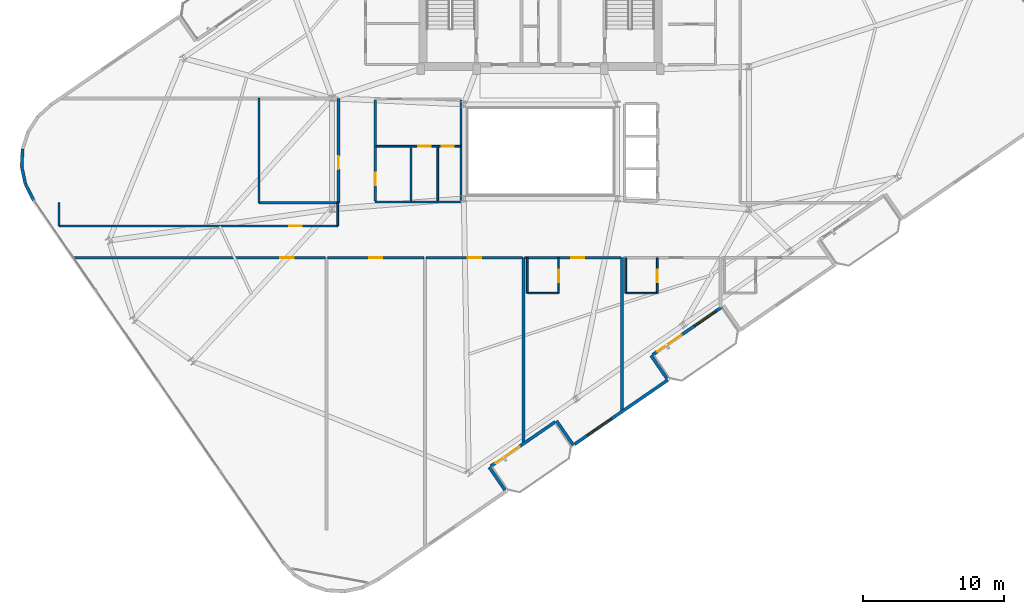
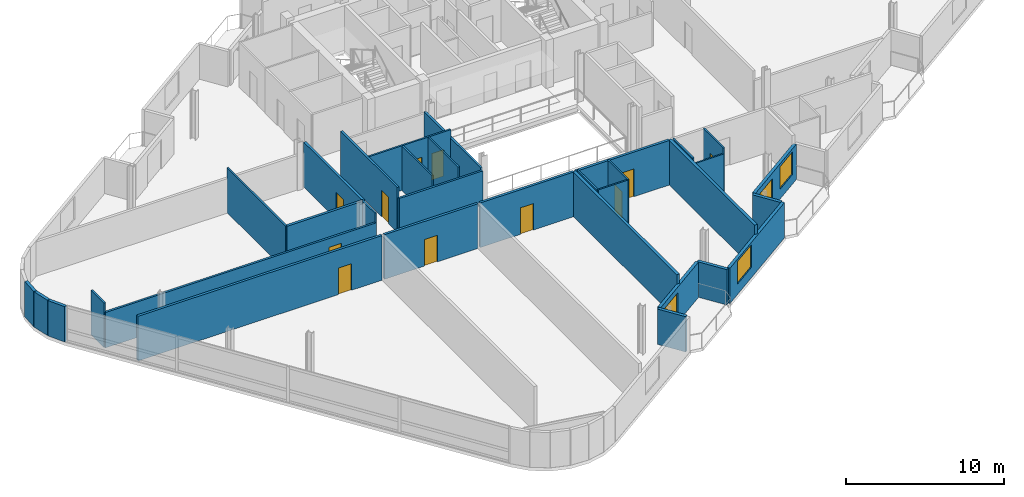
# One storey, part 16 of 23: 33 walls, 13 doors, 2 windows, 15 openings.
"""IFC4 building model written with IfcOpenShell, lengths in metres."""

from ifc_helpers import new_model, si_unit, direction, frame, frame_2d, origin, place, context, subcontext, project, spatial, rectangle, extrude, material, layer, layer_set, type_object, element, fill, save


model = new_model("IFC4")

# Units and contexts
model_context = context("Model", 3, precision=1e-05, world=origin(), true_north=direction((0.0, 1.0)))
body_context = subcontext(model_context, "Body", "Model", "MODEL_VIEW")
ifc_project = project(units=[si_unit("LENGTHUNIT", "METRE"), si_unit("AREAUNIT", "SQUARE_METRE"), si_unit("VOLUMEUNIT", "CUBIC_METRE"), si_unit("PLANEANGLEUNIT", "RADIAN"), si_unit("MASSUNIT", "GRAM", prefix="KILO")], contexts=[model_context])

# Site, building, storey
site_placement = place(None, origin())
site = spatial("IfcSite", under=ifc_project, at=site_placement, CompositionType="ELEMENT")
building_placement = place(site_placement, origin())
building = spatial("IfcBuilding", under=site, at=building_placement, Name="Varnelok Gate Tower", CompositionType="ELEMENT")
storey_placement = place(building_placement, frame((0.0, 0.0, 258.199951171875)))
storey = spatial("IfcBuildingStorey", under=building, at=storey_placement, Name="L66", CompositionType="ELEMENT", Elevation=258.199951171875)

# Wall, opening, door
ifc_material_1 = material(Name="Concrete C45/55", Category="concrete")
ifc_layer_1 = layer(ifc_material_1, 0.219970703125)
ifc_layer_set_1 = layer_set([ifc_layer_1], Name="Concrete C45/55")
wall_type_1 = type_object("IfcWallType", Name="EW-BALC-220", PredefinedType="SOLIDWALL", material=ifc_layer_set_1)
wall_1_placement = place(storey_placement, frame((40.243896484375, 3.6884765625, 0.0), z_axis=(0.0, 0.0, 1.0), x_axis=(-0.823541290762, -0.567256328665, 0.0)))
wall_1 = element("IfcWall", 1, at=wall_1_placement, inside=storey, type_object=wall_type_1, Name="L66 South Terrace Envelope Wall 1", PredefinedType="SOLIDWALL", context=body_context, shape_type="SweptSolid", body=[
    extrude(rectangle(XDim=5.567138671875, YDim=0.219970703125, at=frame_2d((2.78369140625, 0.0))), origin(), (0.0, 0.0, 1.0), 2.72998046875),
])
opening_1_placement = place(wall_1_placement, frame((3.06689453125, 0.0, 0.0)))
opening_1 = element("IfcOpeningElement", 2, at=opening_1_placement, cuts=wall_1, Name="Opening BD-2", PredefinedType="OPENING", context=body_context, shape_type="SweptSolid", body=[
    extrude(rectangle(XDim=2.10009765625, YDim=2.300048828125, at=frame_2d((1.050048828125, 1.14990234375))), frame((0.0, 0.119873046875, 0.0), z_axis=(0.0, -1.0, 0.0), x_axis=(1.0, 0.0, 0.0)), (0.0, 0.0, 1.0), 0.239990234375),
])
ifc_material_2 = material(Name="Anodized Aluminum Alloy 6063-T6", Category="aluminium")
door_type_1 = type_object("IfcDoorType", Name="DR-EXT-SLID2100", OperationType="SLIDING_TO_LEFT", PredefinedType="DOOR", material=ifc_material_2)
door_1_placement = place(opening_1_placement, origin())
door_1 = element("IfcDoor", 3, at=door_1_placement, inside=storey, type_object=door_type_1, Name="L66 South Balcony Glazed Door 1", OperationType="SLIDING_TO_LEFT", OverallHeight=2.300048828125, OverallWidth=2.10009765625, PredefinedType="DOOR", context=body_context, shape_type="SweptSolid", body=[
    extrude(rectangle(XDim=2.10009765625, YDim=2.300048828125, at=frame_2d((1.050048828125, 1.14990234375))), frame((0.0, 0.02490234375, 0.0), z_axis=(0.0, -1.0, 0.0), x_axis=(1.0, 0.0, 0.0)), (0.0, 0.0, 1.0), 0.050048828125),
])
fill(opening_1, door_1)

# Wall, openings, door, window
wall_2_placement = place(storey_placement, frame((52.102783203125, 11.85693359375, 0.0), z_axis=(0.0, 0.0, 1.0), x_axis=(-0.823534636215, -0.567265989598, 0.0)))
wall_2 = element("IfcWall", 4, at=wall_2_placement, inside=storey, type_object=wall_type_1, Name="L66 South Terrace Envelope Wall 2", PredefinedType="SOLIDWALL", context=body_context, shape_type="SweptSolid", body=[
    extrude(rectangle(XDim=6.0, YDim=0.219970703125, at=frame_2d((3.0, 0.0))), origin(), (0.0, 0.0, 1.0), 2.72998046875),
])
opening_2_placement = place(wall_2_placement, frame((3.5, 0.0, 0.0)))
opening_2 = element("IfcOpeningElement", 5, at=opening_2_placement, cuts=wall_2, Name="Opening BD-2", PredefinedType="OPENING", context=body_context, shape_type="SweptSolid", body=[
    extrude(rectangle(XDim=2.10009765625, YDim=2.300048828125, at=frame_2d((1.050048828125, 1.14990234375))), frame((0.0, 0.119873046875, 0.0), z_axis=(0.0, -1.0, 0.0), x_axis=(1.0, 0.0, 0.0)), (0.0, 0.0, 1.0), 0.239990234375),
])
opening_3_placement = place(wall_2_placement, frame((0.550048828125, 0.0, 0.75)))
opening_3 = element("IfcOpeningElement", 6, at=opening_3_placement, cuts=wall_2, Name="Opening WN5", PredefinedType="OPENING", context=body_context, shape_type="SweptSolid", body=[
    extrude(rectangle(XDim=1.85009765625, YDim=1.75, at=frame_2d((0.925048828125, 0.875))), frame((0.0, 0.119873046875, 0.0), z_axis=(0.0, -1.0, 0.0), x_axis=(1.0, 0.0, 0.0)), (0.0, 0.0, 1.0), 0.239990234375),
])
door_2_placement = place(opening_2_placement, origin())
door_2 = element("IfcDoor", 7, at=door_2_placement, inside=storey, type_object=door_type_1, Name="L66 South Balcony Glazed Door 2", OperationType="SLIDING_TO_LEFT", OverallHeight=2.300048828125, OverallWidth=2.10009765625, PredefinedType="DOOR", context=body_context, shape_type="SweptSolid", body=[
    extrude(rectangle(XDim=2.10009765625, YDim=2.300048828125, at=frame_2d((1.050048828125, 1.14990234375))), frame((0.0, 0.02490234375, 0.0), z_axis=(0.0, -1.0, 0.0), x_axis=(1.0, 0.0, 0.0)), (0.0, 0.0, 1.0), 0.050048828125),
])
fill(opening_2, door_2)
ifc_material_3 = material(Name="Low-E Laminated Double Glazing IGU", Category="glass")
window_type_1 = type_object("IfcWindowType", Name="WN-RES-1850", PartitioningType="SINGLE_PANEL", PredefinedType="WINDOW", material=ifc_material_3)
window_1_placement = place(opening_3_placement, origin())
window_1 = element("IfcWindow", 8, at=window_1_placement, inside=storey, type_object=window_type_1, Name="L66 South Vision Window 2.1", OverallHeight=1.75, OverallWidth=1.85009765625, PartitioningType="SINGLE_PANEL", PredefinedType="WINDOW", context=body_context, shape_type="SweptSolid", body=[
    extrude(rectangle(XDim=1.85009765625, YDim=1.75, at=frame_2d((0.925048828125, 0.875))), frame((0.0, 0.030029296875, 0.0), z_axis=(0.0, -1.0, 0.0), x_axis=(1.0, 0.0, 0.0)), (0.0, 0.0, 1.0), 0.06005859375),
])
fill(opening_3, window_1)

# Walls
wall_3_placement = place(storey_placement, frame((36.675048828125, -1.156005859375, 0.0), z_axis=(0.0, 0.0, 1.0), x_axis=(-0.567215821234, 0.823569190865, 0.0)))
element("IfcWall", 9, at=wall_3_placement, inside=storey, type_object=wall_type_1, Name="L66 Perimeter Facade Closure Wall 8", PredefinedType="SOLIDWALL", context=body_context, shape_type="SweptSolid", body=[
    extrude(rectangle(XDim=1.97509765625, YDim=0.219970703125, at=frame_2d((0.987548828125, 0.0))), origin(), (0.0, 0.0, 1.0), 2.72998046875),
])
wall_4_placement = place(storey_placement, frame((40.3369140625, 3.7646484375, 0.0), z_axis=(0.0, 0.0, 1.0), x_axis=(0.567352541689, -0.823475010816, 0.0)))
element("IfcWall", 10, at=wall_4_placement, inside=storey, type_object=wall_type_1, Name="L66 Perimeter Facade Closure Wall 9", PredefinedType="SOLIDWALL", context=body_context, shape_type="SweptSolid", body=[
    extrude(rectangle(XDim=2.099853515625, YDim=0.219970703125, at=frame_2d((1.0498046875, 0.0))), origin(), (0.0, 0.0, 1.0), 2.72998046875),
])

# Wall, opening, window
wall_5_placement = place(storey_placement, frame((41.631103515625, 2.106201171875, 0.0), z_axis=(0.0, 0.0, 1.0), x_axis=(0.823530942962, 0.56727135128, 0.0)))
wall_5 = element("IfcWall", 11, at=wall_5_placement, inside=storey, type_object=wall_type_1, Name="L66 Perimeter Facade Closure Wall 10", PredefinedType="SOLIDWALL", context=body_context, shape_type="SweptSolid", body=[
    extrude(rectangle(XDim=8.03515625, YDim=0.219970703125, at=frame_2d((4.017578125, 0.0))), origin(), (0.0, 0.0, 1.0), 2.72998046875),
])
opening_4_placement = place(wall_5_placement, frame((1.068359375, 0.0, 0.800048828125)))
opening_4 = element("IfcOpeningElement", 12, at=opening_4_placement, cuts=wall_5, Name="Opening WN4", PredefinedType="OPENING", context=body_context, shape_type="SweptSolid", body=[
    extrude(rectangle(XDim=2.10009765625, YDim=1.75, at=frame_2d((1.050048828125, 0.875))), frame((0.0, 0.119873046875, 0.0), z_axis=(0.0, -1.0, 0.0), x_axis=(1.0, 0.0, 0.0)), (0.0, 0.0, 1.0), 0.239990234375),
])
window_type_2 = type_object("IfcWindowType", Name="WN-SUI-2100", PartitioningType="SINGLE_PANEL", PredefinedType="WINDOW", material=ifc_material_3)
window_2_placement = place(opening_4_placement, origin())
window_2 = element("IfcWindow", 13, at=window_2_placement, inside=storey, type_object=window_type_2, Name="L66 Perimeter Vision Window 10", OverallHeight=1.75, OverallWidth=2.10009765625, PartitioningType="SINGLE_PANEL", PredefinedType="WINDOW", context=body_context, shape_type="SweptSolid", body=[
    extrude(rectangle(XDim=2.10009765625, YDim=1.75, at=frame_2d((1.050048828125, 0.875))), frame((0.0, 0.030029296875, 0.0), z_axis=(0.0, -1.0, 0.0), x_axis=(1.0, 0.0, 0.0)), (0.0, 0.0, 1.0), 0.06005859375),
])
fill(opening_4, window_2)

# Walls
wall_6_placement = place(storey_placement, frame((48.17724609375, 6.76708984375, 0.0), z_axis=(0.0, 0.0, 1.0), x_axis=(-0.567273565974, 0.823529417415, 0.0)))
element("IfcWall", 14, at=wall_6_placement, inside=storey, type_object=wall_type_1, Name="L66 Perimeter Facade Closure Wall 11", PredefinedType="SOLIDWALL", context=body_context, shape_type="SweptSolid", body=[
    extrude(rectangle(XDim=1.97509765625, YDim=0.219970703125, at=frame_2d((0.987548828125, 0.0))), origin(), (0.0, 0.0, 1.0), 2.72998046875),
])
wall_7_placement = place(storey_placement, frame((2.409912109375, 23.06591796875, 0.0), z_axis=(0.0, 0.0, 1.0), x_axis=(-0.051234756022, -0.998686637427, 0.0)))
element("IfcWall", 15, at=wall_7_placement, inside=storey, type_object=wall_type_1, Name="L66 Perimeter Facade Closure Wall 42", PredefinedType="SOLIDWALL", context=body_context, shape_type="SweptSolid", body=[
    extrude(rectangle(XDim=1.24853515625, YDim=0.219970703125, at=frame_2d((0.624267578125, 0.0))), origin(), (0.0, 0.0, 1.0), 2.72998046875),
])
for number, where, z_axis, x_axis, name in (
    (16, (2.35107421875, 21.794677734375, 0.0), (0.0, 0.0, 1.0), (0.208994994656, -0.977916710262, 0.0), "L66 Perimeter Facade Closure Wall 43"),
    (17, (2.623291015625, 20.55126953125, 0.0), (0.0, 0.0, 1.0), (0.454938817534, -0.890522696118, 0.0), "L66 Perimeter Facade Closure Wall 44"),
):
    element("IfcWall", number, at=place(storey_placement, frame(where, z_axis=z_axis, x_axis=x_axis)), inside=storey, type_object=wall_type_1, Name=name, PredefinedType="SOLIDWALL", context=body_context, shape_type="SweptSolid", body=[
        extrude(rectangle(XDim=1.248779296875, YDim=0.219970703125, at=frame_2d((0.62451171875, 0.0))), origin(), (0.0, 0.0, 1.0), 2.72998046875),
    ])

# Wall, opening, door
ifc_material_4 = material(Name="Gypsum Plasterboard Acoustic Partition", Category="gypsum")
ifc_layer_2 = layer(ifc_material_4, 0.179931640625)
ifc_layer_set_2 = layer_set([ifc_layer_2], Name="Gypsum Plasterboard Acoustic Partition")
wall_type_2 = type_object("IfcWallType", Name="PW-CORR-180", PredefinedType="PARTITIONING", material=ifc_layer_set_2)
wall_8_placement = place(storey_placement, frame((6.071044921875, 15.35009765625, 0.0), z_axis=(0.0, 0.0, 1.0), x_axis=(1.0, 0.0, 0.0)))
wall_8 = element("IfcWall", 18, at=wall_8_placement, inside=storey, type_object=wall_type_2, Name="Interior Partition", PredefinedType="PARTITIONING", context=body_context, shape_type="SweptSolid", body=[
    extrude(rectangle(XDim=17.848876953125, YDim=0.179931640625, at=frame_2d((8.92431640625, 0.0))), origin(), (0.0, 0.0, 1.0), 3.449951171875),
])
opening_5_placement = place(wall_8_placement, frame((14.65380859375, 0.0, 0.0)))
opening_5 = element("IfcOpeningElement", 19, at=opening_5_placement, cuts=wall_8, Name="Opening D-I2", PredefinedType="OPENING", context=body_context, shape_type="SweptSolid", body=[
    extrude(rectangle(XDim=0.949951171875, YDim=2.050048828125, at=frame_2d((0.47509765625, 1.02490234375))), frame((0.0, 0.099853515625, 0.0), z_axis=(0.0, -1.0, 0.0), x_axis=(1.0, 0.0, 0.0)), (0.0, 0.0, 1.0), 0.199951171875),
])
ifc_material_5 = material(Name="Engineered Hardwood Timber", Category="wood")
door_type_2 = type_object("IfcDoorType", Name="DR-INT-950", OperationType="NOTDEFINED", PredefinedType="DOOR", material=ifc_material_5)
door_3_placement = place(opening_5_placement, origin())
door_3 = element("IfcDoor", 20, at=door_3_placement, inside=storey, type_object=door_type_2, Name="L66 Sky Fine-Dining Restaurant Door", OperationType="SINGLE_SWING_LEFT", OverallHeight=2.050048828125, OverallWidth=0.949951171875, PredefinedType="DOOR", context=body_context, shape_type="SweptSolid", body=[
    extrude(rectangle(XDim=0.949951171875, YDim=2.050048828125, at=frame_2d((0.47509765625, 1.02490234375))), frame((0.0, 0.02490234375, 0.0), z_axis=(0.0, -1.0, 0.0), x_axis=(1.0, 0.0, 0.0)), (0.0, 0.0, 1.0), 0.050048828125),
])
fill(opening_5, door_3)

wall_9_placement = place(storey_placement, frame((24.080078125, 15.35009765625, 0.0), z_axis=(0.0, 0.0, 1.0), x_axis=(1.0, 0.0, 0.0)))
wall_9 = element("IfcWall", 21, at=wall_9_placement, inside=storey, type_object=wall_type_2, Name="Interior Partition", PredefinedType="PARTITIONING", context=body_context, shape_type="SweptSolid", body=[
    extrude(rectangle(XDim=6.83984375, YDim=0.179931640625, at=frame_2d((3.419921875, 0.0))), origin(), (0.0, 0.0, 1.0), 3.449951171875),
])
opening_6_placement = place(wall_9_placement, frame((2.945068359375, 0.0, 0.0)))
opening_6 = element("IfcOpeningElement", 22, at=opening_6_placement, cuts=wall_9, Name="Opening D-I2", PredefinedType="OPENING", context=body_context, shape_type="SweptSolid", body=[
    extrude(rectangle(XDim=0.949951171875, YDim=2.050048828125, at=frame_2d((0.47509765625, 1.02490234375))), frame((0.0, 0.099853515625, 0.0), z_axis=(0.0, -1.0, 0.0), x_axis=(1.0, 0.0, 0.0)), (0.0, 0.0, 1.0), 0.199951171875),
])
door_4_placement = place(opening_6_placement, origin())
door_4 = element("IfcDoor", 23, at=door_4_placement, inside=storey, type_object=door_type_2, Name="L66 Sommelier Tasting Cellar Door", OperationType="SINGLE_SWING_LEFT", OverallHeight=2.050048828125, OverallWidth=0.949951171875, PredefinedType="DOOR", context=body_context, shape_type="SweptSolid", body=[
    extrude(rectangle(XDim=0.949951171875, YDim=2.050048828125, at=frame_2d((0.47509765625, 1.02490234375))), frame((0.0, 0.02490234375, 0.0), z_axis=(0.0, -1.0, 0.0), x_axis=(1.0, 0.0, 0.0)), (0.0, 0.0, 1.0), 0.050048828125),
])
fill(opening_6, door_4)

wall_10_placement = place(storey_placement, frame((31.080078125, 15.35009765625, 0.0), z_axis=(0.0, 0.0, 1.0), x_axis=(1.0, 0.0, 0.0)))
wall_10 = element("IfcWall", 24, at=wall_10_placement, inside=storey, type_object=wall_type_2, Name="Interior Partition", PredefinedType="PARTITIONING", context=body_context, shape_type="SweptSolid", body=[
    extrude(rectangle(XDim=6.83984375, YDim=0.179931640625, at=frame_2d((3.419921875, 0.0))), origin(), (0.0, 0.0, 1.0), 3.449951171875),
])
opening_7_placement = place(wall_10_placement, frame((2.945068359375, 0.0, 0.0)))
opening_7 = element("IfcOpeningElement", 25, at=opening_7_placement, cuts=wall_10, Name="Opening D-I2", PredefinedType="OPENING", context=body_context, shape_type="SweptSolid", body=[
    extrude(rectangle(XDim=0.949951171875, YDim=2.050048828125, at=frame_2d((0.47509765625, 1.02490234375))), frame((0.0, 0.099853515625, 0.0), z_axis=(0.0, -1.0, 0.0), x_axis=(1.0, 0.0, 0.0)), (0.0, 0.0, 1.0), 0.199951171875),
])
door_5_placement = place(opening_7_placement, origin())
door_5 = element("IfcDoor", 26, at=door_5_placement, inside=storey, type_object=door_type_2, Name="L66 Constructivist Architecture Exhibition Gallery Door", OperationType="SINGLE_SWING_LEFT", OverallHeight=2.050048828125, OverallWidth=0.949951171875, PredefinedType="DOOR", context=body_context, shape_type="SweptSolid", body=[
    extrude(rectangle(XDim=0.949951171875, YDim=2.050048828125, at=frame_2d((0.47509765625, 1.02490234375))), frame((0.0, 0.02490234375, 0.0), z_axis=(0.0, -1.0, 0.0), x_axis=(1.0, 0.0, 0.0)), (0.0, 0.0, 1.0), 0.050048828125),
])
fill(opening_7, door_5)

wall_11_placement = place(storey_placement, frame((38.080078125, 15.35009765625, 0.0), z_axis=(0.0, 0.0, 1.0), x_axis=(1.0, 0.0, 0.0)))
wall_11 = element("IfcWall", 27, at=wall_11_placement, inside=storey, type_object=wall_type_2, Name="Interior Partition", PredefinedType="PARTITIONING", context=body_context, shape_type="SweptSolid", body=[
    extrude(rectangle(XDim=6.83984375, YDim=0.179931640625, at=frame_2d((3.419921875, 0.0))), origin(), (0.0, 0.0, 1.0), 3.449951171875),
])
opening_8_placement = place(wall_11_placement, frame((3.2900390625, 0.0, 0.0)))
opening_8 = element("IfcOpeningElement", 28, at=opening_8_placement, cuts=wall_11, Name="Opening D-HT", PredefinedType="OPENING", context=body_context, shape_type="SweptSolid", body=[
    extrude(rectangle(XDim=0.949951171875, YDim=2.14990234375, at=frame_2d((0.47509765625, 1.074951171875))), frame((0.0, 0.099853515625, 0.0), z_axis=(0.0, -1.0, 0.0), x_axis=(1.0, 0.0, 0.0)), (0.0, 0.0, 1.0), 0.199951171875),
])
door_type_3 = type_object("IfcDoorType", Name="DR-HTL-950", OperationType="NOTDEFINED", PredefinedType="DOOR", material=ifc_material_5)
door_6_placement = place(opening_8_placement, origin())
door_6 = element("IfcDoor", 29, at=door_6_placement, inside=storey, type_object=door_type_3, Name="L66 Guest Room 04 Entrance Door", OperationType="SINGLE_SWING_LEFT", OverallHeight=2.14990234375, OverallWidth=0.949951171875, PredefinedType="DOOR", context=body_context, shape_type="SweptSolid", body=[
    extrude(rectangle(XDim=0.949951171875, YDim=2.14990234375, at=frame_2d((0.47509765625, 1.074951171875))), frame((0.0, 0.02490234375, 0.0), z_axis=(0.0, -1.0, 0.0), x_axis=(1.0, 0.0, 0.0)), (0.0, 0.0, 1.0), 0.050048828125),
])
fill(opening_8, door_6)

wall_12_placement = place(storey_placement, frame((24.85009765625, 19.239990234375, 0.0), z_axis=(0.0, 0.0, 1.0), x_axis=(0.0, 1.0, 0.0)))
wall_12 = element("IfcWall", 30, at=wall_12_placement, inside=storey, type_object=wall_type_2, Name="Interior Partition", PredefinedType="PARTITIONING", context=body_context, shape_type="SweptSolid", body=[
    extrude(rectangle(XDim=7.419921875, YDim=0.179931640625, at=frame_2d((3.7099609375, 0.0))), origin(), (0.0, 0.0, 1.0), 3.449951171875),
])
opening_9_placement = place(wall_12_placement, frame((2.39990234375, 0.0, 0.0)))
opening_9 = element("IfcOpeningElement", 31, at=opening_9_placement, cuts=wall_12, Name="Opening D-I3", PredefinedType="OPENING", context=body_context, shape_type="SweptSolid", body=[
    extrude(rectangle(XDim=0.919921875, YDim=2.050048828125, at=frame_2d((0.4599609375, 1.02490234375))), frame((0.0, 0.099853515625, 0.0), z_axis=(0.0, -1.0, 0.0), x_axis=(1.0, 0.0, 0.0)), (0.0, 0.0, 1.0), 0.199951171875),
])
door_type_4 = type_object("IfcDoorType", Name="DR-INT-920", OperationType="NOTDEFINED", PredefinedType="DOOR", material=ifc_material_5)
door_7_placement = place(opening_9_placement, origin())
door_7 = element("IfcDoor", 32, at=door_7_placement, inside=storey, type_object=door_type_4, Name="L66 West Playroom Door", OperationType="SINGLE_SWING_LEFT", OverallHeight=2.050048828125, OverallWidth=0.919921875, PredefinedType="DOOR", context=body_context, shape_type="SweptSolid", body=[
    extrude(rectangle(XDim=0.919921875, YDim=2.050048828125, at=frame_2d((0.4599609375, 1.02490234375))), frame((0.0, 0.02490234375, 0.0), z_axis=(0.0, -1.0, 0.0), x_axis=(1.0, 0.0, 0.0)), (0.0, 0.0, 1.0), 0.050048828125),
])
fill(opening_9, door_7)

# Walls
wall_13_placement = place(storey_placement, frame((19.199951171875, 19.239990234375, 0.0), z_axis=(0.0, 0.0, 1.0), x_axis=(1.0, 0.0, 0.0)))
element("IfcWall", 33, at=wall_13_placement, inside=storey, type_object=wall_type_2, Name="Interior Partition", PredefinedType="PARTITIONING", context=body_context, shape_type="SweptSolid", body=[
    extrude(rectangle(XDim=5.650146484375, YDim=0.179931640625, at=frame_2d((2.8251953125, 0.0))), origin(), (0.0, 0.0, 1.0), 3.449951171875),
])
ifc_layer_3 = layer(ifc_material_4, 0.114990234375)
ifc_layer_set_3 = layer_set([ifc_layer_3], Name="Gypsum Plasterboard Acoustic Partition")
wall_type_3 = type_object("IfcWallType", Name="PW-ENS-125", PredefinedType="PARTITIONING", material=ifc_layer_set_3)
wall_14_placement = place(storey_placement, frame((38.300048828125, 12.830078125, 0.0), z_axis=(0.0, 0.0, 1.0), x_axis=(1.0, 0.0, 0.0)))
element("IfcWall", 34, at=wall_14_placement, inside=storey, type_object=wall_type_3, Name="Interior Partition", PredefinedType="PARTITIONING", context=body_context, shape_type="SweptSolid", body=[
    extrude(rectangle(XDim=2.14990234375, YDim=0.114990234375, at=frame_2d((1.074951171875, 0.0))), origin(), (0.0, 0.0, 1.0), 3.449951171875),
])

# Wall, opening, door
wall_15_placement = place(storey_placement, frame((40.489990234375, 12.830078125, 0.0), z_axis=(0.0, 0.0, 1.0), x_axis=(0.0, 1.0, 0.0)))
wall_15 = element("IfcWall", 35, at=wall_15_placement, inside=storey, type_object=wall_type_3, Name="Interior Partition", PredefinedType="PARTITIONING", context=body_context, shape_type="SweptSolid", body=[
    extrude(rectangle(XDim=2.52001953125, YDim=0.114990234375, at=frame_2d((1.260009765625, 0.0))), origin(), (0.0, 0.0, 1.0), 3.449951171875),
])
opening_10_placement = place(wall_15_placement, frame((0.760009765625, 0.0, 0.0)))
opening_10 = element("IfcOpeningElement", 36, at=opening_10_placement, cuts=wall_15, Name="Opening D-WC", PredefinedType="OPENING", context=body_context, shape_type="SweptSolid", body=[
    extrude(rectangle(XDim=0.89990234375, YDim=2.050048828125, at=frame_2d((0.449951171875, 1.02490234375))), frame((0.0, 0.0673828125, 0.0), z_axis=(0.0, -1.0, 0.0), x_axis=(1.0, 0.0, 0.0)), (0.0, 0.0, 1.0), 0.135009765625),
])
door_type_5 = type_object("IfcDoorType", Name="DR-BATH-900", OperationType="NOTDEFINED", PredefinedType="DOOR", material=ifc_material_5)
door_8_placement = place(opening_10_placement, origin())
door_8 = element("IfcDoor", 37, at=door_8_placement, inside=storey, type_object=door_type_5, Name="L66 Guest En-Suite 04 Door", OperationType="SINGLE_SWING_LEFT", OverallHeight=2.050048828125, OverallWidth=0.89990234375, PredefinedType="DOOR", context=body_context, shape_type="SweptSolid", body=[
    extrude(rectangle(XDim=0.89990234375, YDim=2.050048828125, at=frame_2d((0.449951171875, 1.02490234375))), frame((0.0, 0.02490234375, 0.0), z_axis=(0.0, -1.0, 0.0), x_axis=(1.0, 0.0, 0.0)), (0.0, 0.0, 1.0), 0.050048828125),
])
fill(opening_10, door_8)

# Walls
wall_16_placement = place(storey_placement, frame((38.260009765625, 12.830078125, 0.0), z_axis=(0.0, 0.0, 1.0), x_axis=(0.0, 1.0, 0.0)))
element("IfcWall", 38, at=wall_16_placement, inside=storey, type_object=wall_type_3, Name="Interior Partition", PredefinedType="PARTITIONING", context=body_context, shape_type="SweptSolid", body=[
    extrude(rectangle(XDim=2.52001953125, YDim=0.114990234375, at=frame_2d((1.260009765625, 0.0))), origin(), (0.0, 0.0, 1.0), 3.449951171875),
])
wall_17_placement = place(storey_placement, frame((45.300048828125, 12.830078125, 0.0), z_axis=(0.0, 0.0, 1.0), x_axis=(1.0, 0.0, 0.0)))
element("IfcWall", 39, at=wall_17_placement, inside=storey, type_object=wall_type_3, Name="Interior Partition", PredefinedType="PARTITIONING", context=body_context, shape_type="SweptSolid", body=[
    extrude(rectangle(XDim=2.14990234375, YDim=0.114990234375, at=frame_2d((1.074951171875, 0.0))), origin(), (0.0, 0.0, 1.0), 3.01806640625),
])

# Wall, opening, door
wall_18_placement = place(storey_placement, frame((47.489990234375, 12.830078125, 0.0), z_axis=(0.0, 0.0, 1.0), x_axis=(0.0, 1.0, 0.0)))
wall_18 = element("IfcWall", 40, at=wall_18_placement, inside=storey, type_object=wall_type_3, Name="Interior Partition", PredefinedType="PARTITIONING", context=body_context, shape_type="SweptSolid", body=[
    extrude(rectangle(XDim=2.52001953125, YDim=0.114990234375, at=frame_2d((1.260009765625, 0.0))), origin(), (0.0, 0.0, 1.0), 3.449951171875),
])
opening_11_placement = place(wall_18_placement, frame((0.760009765625, 0.0, 0.0)))
opening_11 = element("IfcOpeningElement", 41, at=opening_11_placement, cuts=wall_18, Name="Opening D-WC", PredefinedType="OPENING", context=body_context, shape_type="SweptSolid", body=[
    extrude(rectangle(XDim=0.89990234375, YDim=2.050048828125, at=frame_2d((0.449951171875, 1.02490234375))), frame((0.0, 0.0673828125, 0.0), z_axis=(0.0, -1.0, 0.0), x_axis=(1.0, 0.0, 0.0)), (0.0, 0.0, 1.0), 0.135009765625),
])
door_9_placement = place(opening_11_placement, origin())
door_9 = element("IfcDoor", 42, at=door_9_placement, inside=storey, type_object=door_type_5, Name="L66 Guest En-Suite 05 Door", OperationType="SINGLE_SWING_LEFT", OverallHeight=2.050048828125, OverallWidth=0.89990234375, PredefinedType="DOOR", context=body_context, shape_type="SweptSolid", body=[
    extrude(rectangle(XDim=0.89990234375, YDim=2.050048828125, at=frame_2d((0.449951171875, 1.02490234375))), frame((0.0, 0.02490234375, 0.0), z_axis=(0.0, -1.0, 0.0), x_axis=(1.0, 0.0, 0.0)), (0.0, 0.0, 1.0), 0.050048828125),
])
fill(opening_11, door_9)

# Walls
wall_19_placement = place(storey_placement, frame((45.260009765625, 12.830078125, 0.0), z_axis=(0.0, 0.0, 1.0), x_axis=(0.0, 1.0, 0.0)))
element("IfcWall", 43, at=wall_19_placement, inside=storey, type_object=wall_type_3, Name="Interior Partition", PredefinedType="PARTITIONING", context=body_context, shape_type="SweptSolid", body=[
    extrude(rectangle(XDim=2.52001953125, YDim=0.114990234375, at=frame_2d((1.260009765625, 0.0))), origin(), (0.0, 0.0, 1.0), 3.449951171875),
])
ifc_layer_4 = layer(ifc_material_4, 0.125)
ifc_layer_set_4 = layer_set([ifc_layer_4], Name="Gypsum Plasterboard Acoustic Partition")
wall_type_4 = type_object("IfcWallType", Name="PW-PART-125", PredefinedType="PARTITIONING", material=ifc_layer_set_4)
for number, where, z_axis, x_axis, name in (
    (44, (5.0, 17.610107421875, 0.0), (0.0, 0.0, 1.0), (0.0, 1.0, 0.0), "Interior Partition"),
    (45, (24.800048828125, 17.610107421875, 0.0), (0.0, 0.0, 1.0), (0.0, 1.0, 0.0), "Interior Partition"),
):
    element("IfcWall", number, at=place(storey_placement, frame(where, z_axis=z_axis, x_axis=x_axis)), inside=storey, type_object=wall_type_4, Name=name, PredefinedType="PARTITIONING", context=body_context, shape_type="SweptSolid", body=[
        extrude(rectangle(XDim=1.6298828125, YDim=0.125, at=frame_2d((0.81494140625, 0.0))), origin(), (0.0, 0.0, 1.0), 3.449951171875),
    ])
wall_20_placement = place(storey_placement, frame((19.199951171875, 19.239990234375, 0.0), z_axis=(0.0, 0.0, 1.0), x_axis=(0.0, 1.0, 0.0)))
element("IfcWall", 46, at=wall_20_placement, inside=storey, type_object=wall_type_4, Name="Interior Partition", PredefinedType="PARTITIONING", context=body_context, shape_type="SweptSolid", body=[
    extrude(rectangle(XDim=7.419921875, YDim=0.125, at=frame_2d((3.7099609375, 0.0))), origin(), (0.0, 0.0, 1.0), 3.449951171875),
])

# Wall, openings, doors
wall_21_placement = place(storey_placement, frame((27.52001953125, 23.27001953125, 0.0), z_axis=(0.0, 0.0, 1.0), x_axis=(1.0, 0.0, 0.0)))
wall_21 = element("IfcWall", 47, at=wall_21_placement, inside=storey, type_object=wall_type_4, Name="Interior Partition", PredefinedType="PARTITIONING", context=body_context, shape_type="SweptSolid", body=[
    extrude(rectangle(XDim=6.0, YDim=0.125, at=frame_2d((3.0, 0.0))), origin(), (0.0, 0.0, 1.0), 3.449951171875),
])
opening_12_placement = place(wall_21_placement, frame((2.981689453125, 0.0, 0.0)))
opening_12 = element("IfcOpeningElement", 48, at=opening_12_placement, cuts=wall_21, Name="Opening D-I4", PredefinedType="OPENING", context=body_context, shape_type="SweptSolid", body=[
    extrude(rectangle(XDim=0.89990234375, YDim=2.050048828125, at=frame_2d((0.449951171875, 1.02490234375))), frame((0.0, 0.072509765625, 0.0), z_axis=(0.0, -1.0, 0.0), x_axis=(1.0, 0.0, 0.0)), (0.0, 0.0, 1.0), 0.14501953125),
])
opening_13_placement = place(wall_21_placement, frame((4.64990234375, 0.0, 0.0)))
opening_13 = element("IfcOpeningElement", 49, at=opening_13_placement, cuts=wall_21, Name="Opening D-RS", PredefinedType="OPENING", context=body_context, shape_type="SweptSolid", body=[
    extrude(rectangle(XDim=0.85009765625, YDim=2.050048828125, at=frame_2d((0.425048828125, 1.02490234375))), frame((0.0, 0.072509765625, 0.0), z_axis=(0.0, -1.0, 0.0), x_axis=(1.0, 0.0, 0.0)), (0.0, 0.0, 1.0), 0.14501953125),
])
door_type_6 = type_object("IfcDoorType", Name="DR-INT-900", OperationType="NOTDEFINED", PredefinedType="DOOR", material=ifc_material_5)
door_10_placement = place(opening_12_placement, origin())
door_10 = element("IfcDoor", 50, at=door_10_placement, inside=storey, type_object=door_type_6, Name="L66 Trolley Room Door", OperationType="SINGLE_SWING_LEFT", OverallHeight=2.050048828125, OverallWidth=0.89990234375, PredefinedType="DOOR", context=body_context, shape_type="SweptSolid", body=[
    extrude(rectangle(XDim=0.89990234375, YDim=2.050048828125, at=frame_2d((0.449951171875, 1.02490234375))), frame((0.0, 0.02490234375, 0.0), z_axis=(0.0, -1.0, 0.0), x_axis=(1.0, 0.0, 0.0)), (0.0, 0.0, 1.0), 0.050048828125),
])
fill(opening_12, door_10)
ifc_material_6 = material(Name="Galvanized Steel Grade S350GD", Category="steel")
door_type_7 = type_object("IfcDoorType", Name="DR-RISER-850", OperationType="NOTDEFINED", PredefinedType="DOOR", material=ifc_material_6)
door_11_placement = place(opening_13_placement, origin())
door_11 = element("IfcDoor", 51, at=door_11_placement, inside=storey, type_object=door_type_7, Name="L66 Janitor Sink Door", OperationType="SINGLE_SWING_RIGHT", OverallHeight=2.050048828125, OverallWidth=0.85009765625, PredefinedType="DOOR", context=body_context, shape_type="SweptSolid", body=[
    extrude(rectangle(XDim=0.85009765625, YDim=2.050048828125, at=frame_2d((0.425048828125, 1.02490234375))), frame((0.0, 0.02490234375, 0.0), z_axis=(0.0, -1.0, 0.0), x_axis=(1.0, 0.0, 0.0)), (0.0, 0.0, 1.0), 0.050048828125),
])
fill(opening_13, door_11)

# Walls
for number, where, z_axis, x_axis, name in (
    (52, (30.0, 19.3798828125, 0.0), (0.0, 0.0, 1.0), (0.0, 1.0, 0.0), "Interior Partition"),
    (53, (31.89990234375, 19.3798828125, 0.0), (0.0, 0.0, 1.0), (0.0, 1.0, 0.0), "Interior Partition"),
):
    element("IfcWall", number, at=place(storey_placement, frame(where, z_axis=z_axis, x_axis=x_axis)), inside=storey, type_object=wall_type_4, Name=name, PredefinedType="PARTITIONING", context=body_context, shape_type="SweptSolid", body=[
        extrude(rectangle(XDim=3.820068359375, YDim=0.125, at=frame_2d((1.91015625, 0.0))), origin(), (0.0, 0.0, 1.0), 3.449951171875),
    ])

# Wall, opening, door
ifc_layer_5 = layer(ifc_material_4, 0.14990234375)
ifc_layer_set_5 = layer_set([ifc_layer_5], Name="Gypsum Plasterboard Acoustic Partition")
wall_type_5 = type_object("IfcWallType", Name="PW-PART-150", PredefinedType="PARTITIONING", material=ifc_layer_set_5)
wall_22_placement = place(storey_placement, frame((5.0, 17.610107421875, 0.0), z_axis=(0.0, 0.0, 1.0), x_axis=(1.0, 0.0, 0.0)))
wall_22 = element("IfcWall", 54, at=wall_22_placement, inside=storey, type_object=wall_type_5, Name="Interior Partition", PredefinedType="PARTITIONING", context=body_context, shape_type="SweptSolid", body=[
    extrude(rectangle(XDim=19.800048828125, YDim=0.14990234375, at=frame_2d((9.89990234375, 0.0))), origin(), (0.0, 0.0, 1.0), 2.739013671875),
])
opening_14_placement = place(wall_22_placement, frame((16.3349609375, 0.0, 0.0)))
opening_14 = element("IfcOpeningElement", 55, at=opening_14_placement, cuts=wall_22, Name="Opening D-I3", PredefinedType="OPENING", context=body_context, shape_type="SweptSolid", body=[
    extrude(rectangle(XDim=0.919921875, YDim=2.050048828125, at=frame_2d((0.4599609375, 1.02490234375))), frame((0.0, 0.0849609375, 0.0), z_axis=(0.0, -1.0, 0.0), x_axis=(1.0, 0.0, 0.0)), (0.0, 0.0, 1.0), 0.169921875),
])
door_12_placement = place(opening_14_placement, origin())
door_12 = element("IfcDoor", 56, at=door_12_placement, inside=storey, type_object=door_type_4, Name="L66 Atrium Room 1 Door", OperationType="SINGLE_SWING_LEFT", OverallHeight=2.050048828125, OverallWidth=0.919921875, PredefinedType="DOOR", context=body_context, shape_type="SweptSolid", body=[
    extrude(rectangle(XDim=0.919921875, YDim=2.050048828125, at=frame_2d((0.4599609375, 1.02490234375))), frame((0.0, 0.02490234375, 0.0), z_axis=(0.0, -1.0, 0.0), x_axis=(1.0, 0.0, 0.0)), (0.0, 0.0, 1.0), 0.050048828125),
])
fill(opening_14, door_12)

# Wall
wall_23_placement = place(storey_placement, frame((27.4599609375, 19.300048828125, 0.0), z_axis=(0.0, 0.0, 1.0), x_axis=(1.0, 0.0, 0.0)))
element("IfcWall", 57, at=wall_23_placement, inside=storey, type_object=wall_type_5, Name="Interior Partition", PredefinedType="PARTITIONING", context=body_context, shape_type="SweptSolid", body=[
    extrude(rectangle(XDim=6.10009765625, YDim=0.14990234375, at=frame_2d((3.050048828125, 0.0))), origin(), (0.0, 0.0, 1.0), 2.662109375),
])

# Wall, opening, door
wall_24_placement = place(storey_placement, frame((27.4599609375, 19.3798828125, 0.0), z_axis=(0.0, 0.0, 1.0), x_axis=(0.0, 1.0, 0.0)))
wall_24 = element("IfcWall", 58, at=wall_24_placement, inside=storey, type_object=wall_type_5, Name="Interior Partition", PredefinedType="PARTITIONING", context=body_context, shape_type="SweptSolid", body=[
    extrude(rectangle(XDim=7.16015625, YDim=0.14990234375, at=frame_2d((3.580078125, 0.0))), origin(), (0.0, 0.0, 1.0), 3.449951171875),
])
opening_15_placement = place(wall_24_placement, frame((1.10009765625, 0.0, 0.0)))
opening_15 = element("IfcOpeningElement", 59, at=opening_15_placement, cuts=wall_24, Name="Opening D-WC", PredefinedType="OPENING", context=body_context, shape_type="SweptSolid", body=[
    extrude(rectangle(XDim=0.89990234375, YDim=2.050048828125, at=frame_2d((0.449951171875, 1.02490234375))), frame((0.0, 0.0849609375, 0.0), z_axis=(0.0, -1.0, 0.0), x_axis=(1.0, 0.0, 0.0)), (0.0, 0.0, 1.0), 0.169921875),
])
door_13_placement = place(opening_15_placement, origin())
door_13 = element("IfcDoor", 60, at=door_13_placement, inside=storey, type_object=door_type_5, Name="L66 Accessible Floor WC Door", OperationType="SINGLE_SWING_RIGHT", OverallHeight=2.050048828125, OverallWidth=0.89990234375, PredefinedType="DOOR", context=body_context, shape_type="SweptSolid", body=[
    extrude(rectangle(XDim=0.89990234375, YDim=2.050048828125, at=frame_2d((0.449951171875, 1.02490234375))), frame((0.0, 0.02490234375, 0.0), z_axis=(0.0, -1.0, 0.0), x_axis=(1.0, 0.0, 0.0)), (0.0, 0.0, 1.0), 0.050048828125),
])
fill(opening_15, door_13)

# Walls
wall_25_placement = place(storey_placement, frame((33.56005859375, 19.3798828125, 0.0), z_axis=(0.0, 0.0, 1.0), x_axis=(0.0, 1.0, 0.0)))
element("IfcWall", 61, at=wall_25_placement, inside=storey, type_object=wall_type_5, Name="Interior Partition", PredefinedType="PARTITIONING", context=body_context, shape_type="SweptSolid", body=[
    extrude(rectangle(XDim=7.16015625, YDim=0.14990234375, at=frame_2d((3.580078125, 0.0))), origin(), (0.0, 0.0, 1.0), 2.823974609375),
])
ifc_layer_6 = layer(ifc_material_4, 0.205078125)
ifc_layer_set_6 = layer_set([ifc_layer_6], Name="Gypsum Plasterboard Acoustic Partition")
wall_type_6 = type_object("IfcWallType", Name="PW-PARTY-200", PredefinedType="PARTITIONING", material=ifc_layer_set_6)
wall_26_placement = place(storey_placement, frame((38.0, 2.17919921875, 0.0), z_axis=(0.0, 0.0, 1.0), x_axis=(0.0, 1.0, 0.0)))
element("IfcWall", 62, at=wall_26_placement, inside=storey, type_object=wall_type_6, Name="L66 South Party Wall 3", PredefinedType="PARTITIONING", context=body_context, shape_type="SweptSolid", body=[
    extrude(rectangle(XDim=13.1708984375, YDim=0.205078125, at=frame_2d((6.58544921875, 0.0))), origin(), (0.0, 0.0, 1.0), 3.449951171875),
])
wall_27_placement = place(storey_placement, frame((45.0, 4.450927734375, 0.0), z_axis=(0.0, 0.0, 1.0), x_axis=(0.0, 1.0, 0.0)))
element("IfcWall", 63, at=wall_27_placement, inside=storey, type_object=wall_type_6, Name="L66 South Party Wall 4", PredefinedType="PARTITIONING", context=body_context, shape_type="SweptSolid", body=[
    extrude(rectangle(XDim=10.899169921875, YDim=0.205078125, at=frame_2d((5.44970703125, 0.0))), origin(), (0.0, 0.0, 1.0), 3.449951171875),
])

save(model, "model.ifc")
